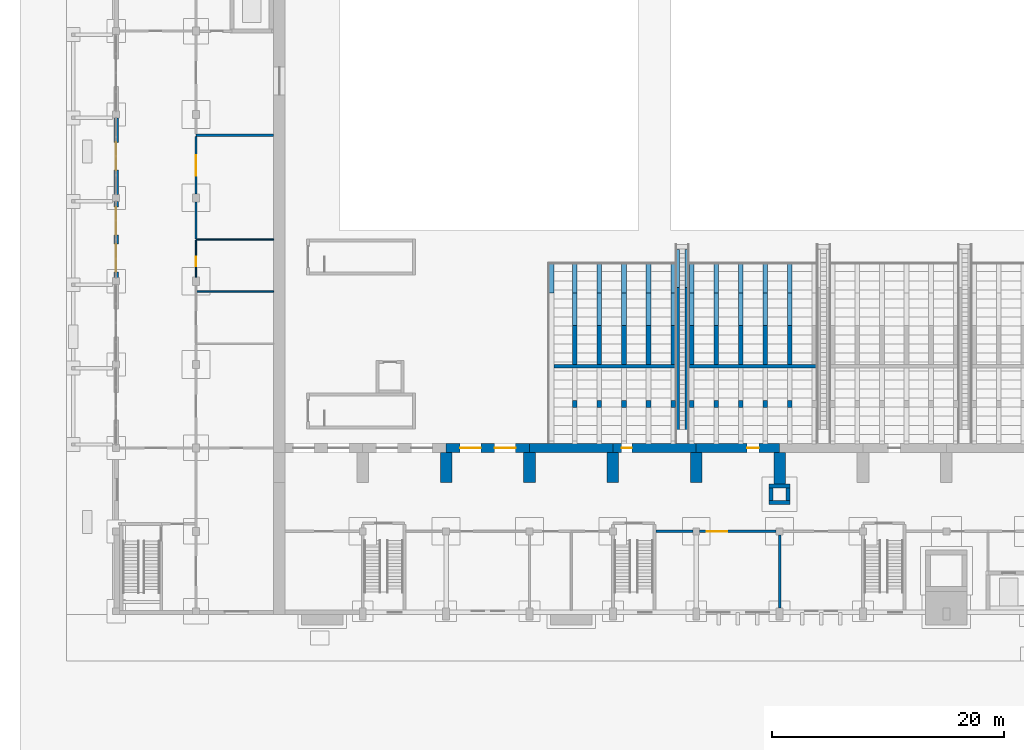
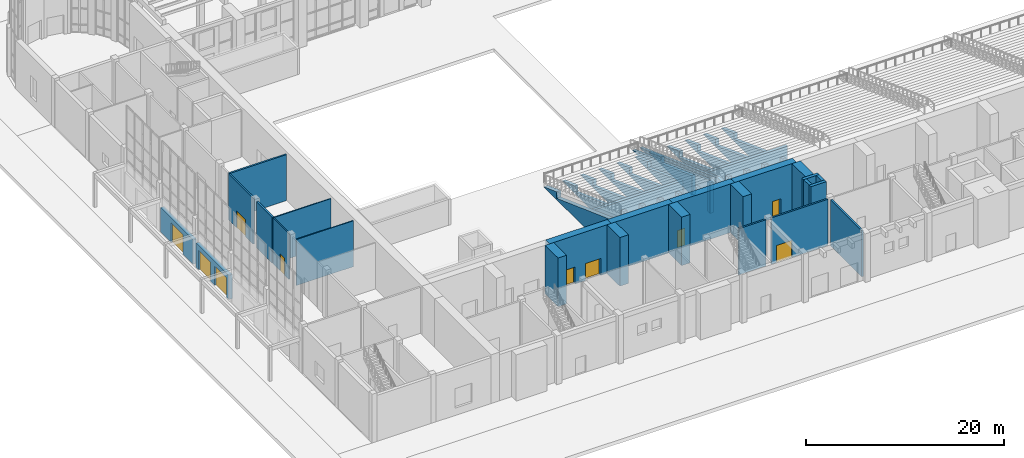
# One storey, part 40 of 70: 49 walls, 10 doors, 10 openings.
"""IFC4 building model written with IfcOpenShell, lengths in metres."""

from ifc_helpers import new_model, si_unit, direction, frame, frame_2d, origin, place, context, subcontext, project, spatial, polyline, rectangle, outline, extrude, material, layer, layer_set, type_object, element, fill, save


model = new_model("IFC4")

# Units and contexts
model_context = context("Model", 3, precision=1e-05, world=origin(), true_north=direction((0.0, 1.0)))
body_context = subcontext(model_context, "Body", "Model", "MODEL_VIEW")
ifc_project = project(units=[si_unit("LENGTHUNIT", "METRE"), si_unit("AREAUNIT", "SQUARE_METRE"), si_unit("VOLUMEUNIT", "CUBIC_METRE"), si_unit("PLANEANGLEUNIT", "RADIAN"), si_unit("MASSUNIT", "GRAM", prefix="KILO")], contexts=[model_context])

# Site, building, storey
site_placement = place(None, origin())
site = spatial("IfcSite", under=ifc_project, at=site_placement, CompositionType="ELEMENT")
building_placement = place(site_placement, origin())
building = spatial("IfcBuilding", under=site, at=building_placement, Name="Vermilion Court Aquatics Centre", CompositionType="ELEMENT")
storey_placement = place(building_placement, origin())
storey = spatial("IfcBuildingStorey", under=building, at=storey_placement, Name="L00", CompositionType="ELEMENT", Elevation=0.0)

# Wall, openings, doors
ifc_material_1 = material(Name="Brick masonry", Category="masonry")
ifc_layer_1 = layer(ifc_material_1, 0.39990234375)
ifc_layer_set_1 = layer_set([ifc_layer_1], Name="Foyer brick wall 400")
wall_type_1 = type_object("IfcWallType", Name="Foyer brick wall 400", PredefinedType="SOLIDWALL", material=ifc_layer_set_1)
wall_1_placement = place(storey_placement, frame((0.300048828125, 29.10009765625, 0.0), z_axis=(0.0, 0.0, 1.0), x_axis=(0.0, 1.0, 0.0)))
wall_1 = element("IfcWall", 1, at=wall_1_placement, inside=storey, type_object=wall_type_1, Name="Foyer brick base wall", PredefinedType="SOLIDWALL", context=body_context, shape_type="SweptSolid", body=[
    extrude(rectangle(XDim=6.599853515625, YDim=0.39990234375, at=frame_2d((3.2998046875, 0.0))), origin(), (0.0, 0.0, 1.0), 3.0),
])
opening_1_placement = place(wall_1_placement, frame((0.5, 0.0, 0.0)))
opening_1 = element("IfcOpeningElement", 2, at=opening_1_placement, cuts=wall_1, Name="Opening F00-003", PredefinedType="OPENING", context=body_context, shape_type="SweptSolid", body=[
    extrude(rectangle(XDim=2.39990234375, YDim=2.39990234375, at=frame_2d((1.199951171875, 1.199951171875))), frame((0.0, 0.2099609375, 0.0), z_axis=(0.0, -1.0, 0.0), x_axis=(1.0, 0.0, 0.0)), (0.0, 0.0, 1.0), 0.419921875),
])
opening_2_placement = place(wall_1_placement, frame((3.699951171875, 0.0, 0.0)))
opening_2 = element("IfcOpeningElement", 3, at=opening_2_placement, cuts=wall_1, Name="Opening F00-004", PredefinedType="OPENING", context=body_context, shape_type="SweptSolid", body=[
    extrude(rectangle(XDim=2.39990234375, YDim=2.39990234375, at=frame_2d((1.199951171875, 1.199951171875))), frame((0.0, 0.2099609375, 0.0), z_axis=(0.0, -1.0, 0.0), x_axis=(1.0, 0.0, 0.0)), (0.0, 0.0, 1.0), 0.419921875),
])
ifc_material_2 = material(Name="Hollow metal", Category="metal")
door_type_1 = type_object("IfcDoorType", Name="Foyer entrance door 2400x2400", OperationType="DOUBLE_DOOR_SINGLE_SWING", PredefinedType="DOOR", material=ifc_material_2)
door_1_placement = place(opening_1_placement, origin())
door_1 = element("IfcDoor", 4, at=door_1_placement, inside=storey, type_object=door_type_1, Name="Foyer entrance door", OperationType="DOUBLE_DOOR_SINGLE_SWING", OverallHeight=2.39990234375, OverallWidth=2.39990234375, PredefinedType="DOOR", context=body_context, shape_type="SweptSolid", body=[
    extrude(rectangle(XDim=2.39990234375, YDim=2.39990234375, at=frame_2d((1.199951171875, 1.199951171875))), frame((0.0, 0.02490234375, 0.0), z_axis=(0.0, -1.0, 0.0), x_axis=(1.0, 0.0, 0.0)), (0.0, 0.0, 1.0), 0.050048828125),
])
fill(opening_1, door_1)
door_2_placement = place(opening_2_placement, origin())
door_2 = element("IfcDoor", 5, at=door_2_placement, inside=storey, type_object=door_type_1, Name="Foyer entrance door", OperationType="DOUBLE_DOOR_SINGLE_SWING", OverallHeight=2.39990234375, OverallWidth=2.39990234375, PredefinedType="DOOR", context=body_context, shape_type="SweptSolid", body=[
    extrude(rectangle(XDim=2.39990234375, YDim=2.39990234375, at=frame_2d((1.199951171875, 1.199951171875))), frame((0.0, 0.02490234375, 0.0), z_axis=(0.0, -1.0, 0.0), x_axis=(1.0, 0.0, 0.0)), (0.0, 0.0, 1.0), 0.050048828125),
])
fill(opening_2, door_2)

# Wall, opening, door
wall_2_placement = place(storey_placement, frame((0.300048828125, 36.300048828125, 0.0), z_axis=(0.0, 0.0, 1.0), x_axis=(0.0, 1.0, 0.0)))
wall_2 = element("IfcWall", 6, at=wall_2_placement, inside=storey, type_object=wall_type_1, Name="Foyer brick base wall", PredefinedType="SOLIDWALL", context=body_context, shape_type="SweptSolid", body=[
    extrude(rectangle(XDim=6.599853515625, YDim=0.39990234375, at=frame_2d((3.2998046875, 0.0))), origin(), (0.0, 0.0, 1.0), 3.0),
])
opening_3_placement = place(wall_2_placement, frame((2.10009765625, 0.0, 0.0)))
opening_3 = element("IfcOpeningElement", 7, at=opening_3_placement, cuts=wall_2, Name="Opening F00-005", PredefinedType="OPENING", context=body_context, shape_type="SweptSolid", body=[
    extrude(rectangle(XDim=2.39990234375, YDim=2.39990234375, at=frame_2d((1.199951171875, 1.199951171875))), frame((0.0, 0.2099609375, 0.0), z_axis=(0.0, -1.0, 0.0), x_axis=(1.0, 0.0, 0.0)), (0.0, 0.0, 1.0), 0.419921875),
])
door_3_placement = place(opening_3_placement, origin())
door_3 = element("IfcDoor", 8, at=door_3_placement, inside=storey, type_object=door_type_1, Name="Foyer entrance door", OperationType="DOUBLE_DOOR_SINGLE_SWING", OverallHeight=2.39990234375, OverallWidth=2.39990234375, PredefinedType="DOOR", context=body_context, shape_type="SweptSolid", body=[
    extrude(rectangle(XDim=2.39990234375, YDim=2.39990234375, at=frame_2d((1.199951171875, 1.199951171875))), frame((0.0, 0.02490234375, 0.0), z_axis=(0.0, -1.0, 0.0), x_axis=(1.0, 0.0, 0.0)), (0.0, 0.0, 1.0), 0.050048828125),
])
fill(opening_3, door_3)

# Wall
ifc_material_3 = material(Name="Concrete masonry ASTM C90 Type I", Category="masonry")
ifc_layer_2 = layer(ifc_material_3, 0.199951171875)
ifc_layer_set_2 = layer_set([ifc_layer_2], Name="Foyer fire-rated partition 200")
wall_type_2 = type_object("IfcWallType", Name="Foyer fire-rated partition 200", PredefinedType="PARTITIONING", material=ifc_layer_set_2)
wall_3_placement = place(storey_placement, frame((7.199951171875, 41.39990234375, 0.0), z_axis=(0.0, 0.0, 1.0), x_axis=(1.0, 0.0, 0.0)))
element("IfcWall", 9, at=wall_3_placement, inside=storey, type_object=wall_type_2, Name="Wall", PredefinedType="PARTITIONING", context=body_context, shape_type="SweptSolid", body=[
    extrude(rectangle(XDim=6.699951171875, YDim=0.199951171875, at=frame_2d((3.35009765625, 0.0))), origin(), (0.0, 0.0, 1.0), 5.675048828125),
])

# Wall, opening, door
ifc_material_4 = material(Name="Gypsum board", Category="gypsum")
ifc_layer_3 = layer(ifc_material_4, 0.1201171875)
ifc_layer_set_3 = layer_set([ifc_layer_3], Name="Foyer light partition 120")
wall_type_3 = type_object("IfcWallType", Name="Foyer light partition 120", PredefinedType="PARTITIONING", material=ifc_layer_set_3)
wall_4_placement = place(storey_placement, frame((7.199951171875, 29.14990234375, 0.0), z_axis=(0.0, 0.0, 1.0), x_axis=(0.0, 1.0, 0.0)))
wall_4 = element("IfcWall", 10, at=wall_4_placement, inside=storey, type_object=wall_type_3, Name="Wall", PredefinedType="PARTITIONING", context=body_context, shape_type="SweptSolid", body=[
    extrude(rectangle(XDim=3.190185546875, YDim=0.1201171875, at=frame_2d((1.59521484375, 0.0))), origin(), (0.0, 0.0, 1.0), 5.675048828125),
])
opening_4_placement = place(wall_4_placement, frame((0.925048828125, 0.0, 0.0)))
opening_4 = element("IfcOpeningElement", 11, at=opening_4_placement, cuts=wall_4, Name="Opening F00-015", PredefinedType="OPENING", context=body_context, shape_type="SweptSolid", body=[
    extrude(rectangle(XDim=0.85009765625, YDim=2.10009765625, at=frame_2d((0.425048828125, 1.050048828125))), frame((0.0, 0.070068359375, 0.0), z_axis=(0.0, -1.0, 0.0), x_axis=(1.0, 0.0, 0.0)), (0.0, 0.0, 1.0), 0.14013671875),
])
ifc_material_5 = material(Name="Timber door leaf", Category="wood")
door_type_2 = type_object("IfcDoorType", Name="Foyer staff door 850", OperationType="SINGLE_SWING_RIGHT", PredefinedType="DOOR", material=ifc_material_5)
door_4_placement = place(opening_4_placement, origin())
door_4 = element("IfcDoor", 12, at=door_4_placement, inside=storey, type_object=door_type_2, Name="Foyer office door", OperationType="SINGLE_SWING_RIGHT", OverallHeight=2.10009765625, OverallWidth=0.85009765625, PredefinedType="DOOR", context=body_context, shape_type="SweptSolid", body=[
    extrude(rectangle(XDim=0.85009765625, YDim=2.10009765625, at=frame_2d((0.425048828125, 1.050048828125))), frame((0.0, 0.02490234375, 0.0), z_axis=(0.0, -1.0, 0.0), x_axis=(1.0, 0.0, 0.0)), (0.0, 0.0, 1.0), 0.050048828125),
])
fill(opening_4, door_4)

# Walls
wall_5_placement = place(storey_placement, frame((7.260009765625, 27.89990234375, 0.0), z_axis=(0.0, 0.0, 1.0), x_axis=(1.0, 0.0, 0.0)))
element("IfcWall", 13, at=wall_5_placement, inside=storey, type_object=wall_type_3, Name="Wall", PredefinedType="PARTITIONING", context=body_context, shape_type="SweptSolid", body=[
    extrude(rectangle(XDim=6.639892578125, YDim=0.1201171875, at=frame_2d((3.31982421875, 0.0))), origin(), (0.0, 0.0, 1.0), 5.675048828125),
])
wall_6_placement = place(storey_placement, frame((7.199951171875, 32.39990234375, 0.0), z_axis=(0.0, 0.0, 1.0), x_axis=(1.0, 0.0, 0.0)))
element("IfcWall", 14, at=wall_6_placement, inside=storey, type_object=wall_type_3, Name="Wall", PredefinedType="PARTITIONING", context=body_context, shape_type="SweptSolid", body=[
    extrude(rectangle(XDim=6.699951171875, YDim=0.1201171875, at=frame_2d((3.35009765625, 0.0))), origin(), (0.0, 0.0, 1.0), 5.675048828125),
])
ifc_material_6 = material(Name="Concrete masonry ASTM C90 Type I", Category="masonry")
ifc_layer_4 = layer(ifc_material_6, 0.199951171875)
ifc_layer_set_4 = layer_set([ifc_layer_4], Name="Foyer partition wall 200")
wall_type_4 = type_object("IfcWallType", Name="Foyer partition wall 200", PredefinedType="PARTITIONING", material=ifc_layer_set_4)
wall_7_placement = place(storey_placement, frame((7.199951171875, 32.4599609375, 0.0), z_axis=(0.0, 0.0, 1.0), x_axis=(0.0, 1.0, 0.0)))
element("IfcWall", 15, at=wall_7_placement, inside=storey, type_object=wall_type_4, Name="Partition wall", PredefinedType="PARTITIONING", context=body_context, shape_type="SweptSolid", body=[
    extrude(rectangle(XDim=3.18994140625, YDim=0.199951171875, at=frame_2d((1.594970703125, 0.0))), origin(), (0.0, 0.0, 1.0), 5.675048828125),
])

# Wall, opening, door
wall_8_placement = place(storey_placement, frame((7.199951171875, 36.35009765625, 0.0), z_axis=(0.0, 0.0, 1.0), x_axis=(0.0, 1.0, 0.0)))
wall_8 = element("IfcWall", 16, at=wall_8_placement, inside=storey, type_object=wall_type_4, Name="Partition wall", PredefinedType="PARTITIONING", context=body_context, shape_type="SweptSolid", body=[
    extrude(rectangle(XDim=4.949951171875, YDim=0.199951171875, at=frame_2d((2.47509765625, 0.0))), origin(), (0.0, 0.0, 1.0), 5.675048828125),
])
opening_5_placement = place(wall_8_placement, frame((1.550048828125, 0.0, 0.0)))
opening_5 = element("IfcOpeningElement", 17, at=opening_5_placement, cuts=wall_8, Name="Opening F00-016", PredefinedType="OPENING", context=body_context, shape_type="SweptSolid", body=[
    extrude(rectangle(XDim=1.800048828125, YDim=2.10009765625, at=frame_2d((0.89990234375, 1.050048828125))), frame((0.0, 0.10986328125, 0.0), z_axis=(0.0, -1.0, 0.0), x_axis=(1.0, 0.0, 0.0)), (0.0, 0.0, 1.0), 0.219970703125),
])
ifc_material_7 = material(Name="Hollow metal", Category="metal")
door_type_3 = type_object("IfcDoorType", Name="Foyer double door 1800", OperationType="DOUBLE_DOOR_SINGLE_SWING", PredefinedType="DOOR", material=ifc_material_7)
door_5_placement = place(opening_5_placement, frame((1.800048828125, 0.0, 0.0), z_axis=(0.0, 0.0, 1.0), x_axis=(-1.0, 0.0, 0.0)))
door_5 = element("IfcDoor", 18, at=door_5_placement, inside=storey, type_object=door_type_3, Name="Cafe door", OperationType="DOUBLE_DOOR_SINGLE_SWING", OverallHeight=2.10009765625, OverallWidth=1.800048828125, PredefinedType="DOOR", context=body_context, shape_type="SweptSolid", body=[
    extrude(rectangle(XDim=1.800048828125, YDim=2.10009765625, at=frame_2d((0.900146484375, 1.050048828125))), frame((0.0, 0.025146484375, 0.0), z_axis=(0.0, -1.0, 0.0), x_axis=(1.0, 0.0, 0.0)), (0.0, 0.0, 1.0), 0.050048828125),
])
fill(opening_5, door_5)

# Walls
ifc_material_8 = material(Name="Concrete 5000 psi", Category="concrete")
ifc_layer_5 = layer(ifc_material_8, 1.0)
ifc_layer_set_5 = layer_set([ifc_layer_5], Name="Roof buttress pier")
wall_type_5 = type_object("IfcWallType", Name="Roof buttress pier", PredefinedType="SOLIDWALL", material=ifc_layer_set_5)
for number, where, z_axis, x_axis, name in (
    (19, (28.800048828125, 11.39990234375, 0.0), (0.0, 0.0, 1.0), (0.0, 1.0, 0.0), "Buttress pier BPS03"),
    (20, (36.0, 11.39990234375, 0.0), (0.0, 0.0, 1.0), (0.0, 1.0, 0.0), "Buttress pier BPS04"),
    (21, (43.199951171875, 11.39990234375, 0.0), (0.0, 0.0, 1.0), (0.0, 1.0, 0.0), "Buttress pier BPS05"),
    (22, (50.39990234375, 11.39990234375, 0.0), (0.0, 0.0, 1.0), (0.0, 1.0, 0.0), "Buttress pier BPS06"),
):
    element("IfcWall", number, at=place(storey_placement, frame(where, z_axis=z_axis, x_axis=x_axis)), inside=storey, type_object=wall_type_5, Name=name, PredefinedType="SOLIDWALL", context=body_context, shape_type="SweptSolid", body=[
        extrude(rectangle(XDim=2.60009765625, YDim=1.0, at=frame_2d((1.300048828125, 0.0))), origin(), (0.0, 0.0, 1.0), 6.0),
    ])
wall_9_placement = place(storey_placement, frame((57.60009765625, 11.300048828125, 0.0), z_axis=(0.0, 0.0, 1.0), x_axis=(0.0, 1.0, 0.0)))
element("IfcWall", 23, at=wall_9_placement, inside=storey, type_object=wall_type_5, Name="Buttress pier BPS07", PredefinedType="SOLIDWALL", context=body_context, shape_type="SweptSolid", body=[
    extrude(rectangle(XDim=2.699951171875, YDim=1.0, at=frame_2d((1.35009765625, 0.0))), origin(), (0.0, 0.0, 1.0), 6.0),
])
ifc_material_9 = material(Name="Concrete masonry ASTM C90 Type I", Category="masonry")
ifc_layer_6 = layer(ifc_material_9, 0.199951171875)
ifc_layer_set_6 = layer_set([ifc_layer_6], Name="South fire-rated partition 200")
wall_type_6 = type_object("IfcWallType", Name="South fire-rated partition 200", PredefinedType="PARTITIONING", material=ifc_layer_set_6)
wall_10_placement = place(storey_placement, frame((57.60009765625, 0.60009765625, 0.0), z_axis=(0.0, 0.0, 1.0), x_axis=(0.0, 1.0, 0.0)))
element("IfcWall", 24, at=wall_10_placement, inside=storey, type_object=wall_type_6, Name="Wall", PredefinedType="PARTITIONING", context=body_context, shape_type="SweptSolid", body=[
    extrude(rectangle(XDim=6.2998046875, YDim=0.199951171875, at=frame_2d((3.14990234375, 0.0))), origin(), (0.0, 0.0, 1.0), 5.699951171875),
])
wall_11_placement = place(storey_placement, frame((46.925048828125, 7.199951171875, 0.0), z_axis=(0.0, 0.0, 1.0), x_axis=(1.0, 0.0, 0.0)))
element("IfcWall", 25, at=wall_11_placement, inside=storey, type_object=wall_type_6, Name="Wall", PredefinedType="PARTITIONING", context=body_context, shape_type="SweptSolid", body=[
    extrude(rectangle(XDim=3.175048828125, YDim=0.199951171875, at=frame_2d((1.58740234375, 0.0))), origin(), (0.0, 0.0, 1.0), 5.699951171875),
])

# Wall, opening, door
wall_12_placement = place(storey_placement, frame((50.699951171875, 7.199951171875, 0.0), z_axis=(0.0, 0.0, 1.0), x_axis=(1.0, 0.0, 0.0)))
wall_12 = element("IfcWall", 26, at=wall_12_placement, inside=storey, type_object=wall_type_6, Name="Wall", PredefinedType="PARTITIONING", context=body_context, shape_type="SweptSolid", body=[
    extrude(rectangle(XDim=6.60009765625, YDim=0.199951171875, at=frame_2d((3.300048828125, 0.0))), origin(), (0.0, 0.0, 1.0), 5.699951171875),
])
opening_6_placement = place(wall_12_placement, frame((0.60009765625, 0.0, 0.0)))
opening_6 = element("IfcOpeningElement", 27, at=opening_6_placement, cuts=wall_12, Name="Opening S00-027", PredefinedType="OPENING", context=body_context, shape_type="SweptSolid", body=[
    extrude(rectangle(XDim=1.800048828125, YDim=2.10009765625, at=frame_2d((0.89990234375, 1.050048828125))), frame((0.0, 0.10986328125, 0.0), z_axis=(0.0, -1.0, 0.0), x_axis=(1.0, 0.0, 0.0)), (0.0, 0.0, 1.0), 0.219970703125),
])
ifc_material_10 = material(Name="Hollow metal", Category="metal")
door_type_4 = type_object("IfcDoorType", Name="South lobby double door 1800", OperationType="DOUBLE_DOOR_SINGLE_SWING", PredefinedType="DOOR", material=ifc_material_10)
door_6_placement = place(opening_6_placement, origin())
door_6 = element("IfcDoor", 28, at=door_6_placement, inside=storey, type_object=door_type_4, Name="Entrance Lobby West door", OperationType="DOUBLE_DOOR_SINGLE_SWING", OverallHeight=2.10009765625, OverallWidth=1.800048828125, PredefinedType="DOOR", context=body_context, shape_type="SweptSolid", body=[
    extrude(rectangle(XDim=1.800048828125, YDim=2.10009765625, at=frame_2d((0.89990234375, 1.050048828125))), frame((0.0, 0.02490234375, 0.0), z_axis=(0.0, -1.0, 0.0), x_axis=(1.0, 0.0, 0.0)), (0.0, 0.0, 1.0), 0.050048828125),
])
fill(opening_6, door_6)

# Walls
ifc_material_11 = material(Name="Concrete 5000 psi", Category="concrete")
ifc_layer_7 = layer(ifc_material_11, 0.35009765625)
ifc_layer_set_7 = layer_set([ifc_layer_7], Name="South vent riser support wall 350")
wall_type_7 = type_object("IfcWallType", Name="South vent riser support wall 350", PredefinedType="SOLIDWALL", material=ifc_layer_set_7)
for number, where, z_axis, x_axis, name in (
    (29, (56.699951171875, 11.125, 0.0), (0.0, 0.0, 1.0), (1.0, 0.0, 0.0), "Stack support wall"),
    (30, (56.699951171875, 9.675048828125, 0.0), (0.0, 0.0, 1.0), (1.0, 0.0, 0.0), "Stack support wall"),
):
    element("IfcWall", number, at=place(storey_placement, frame(where, z_axis=z_axis, x_axis=x_axis)), inside=storey, type_object=wall_type_7, Name=name, PredefinedType="SOLIDWALL", context=body_context, shape_type="SweptSolid", body=[
        extrude(rectangle(XDim=1.800048828125, YDim=0.35009765625, at=frame_2d((0.89990234375, 0.0))), origin(), (0.0, 0.0, 1.0), 6.0),
    ])
for number, where, z_axis, x_axis, name in (
    (31, (58.324951171875, 9.85009765625, 0.0), (0.0, 0.0, 1.0), (0.0, 1.0, 0.0), "Stack support wall"),
    (32, (56.875, 9.85009765625, 0.0), (0.0, 0.0, 1.0), (0.0, 1.0, 0.0), "Stack support wall"),
):
    element("IfcWall", number, at=place(storey_placement, frame(where, z_axis=z_axis, x_axis=x_axis)), inside=storey, type_object=wall_type_7, Name=name, PredefinedType="SOLIDWALL", context=body_context, shape_type="SweptSolid", body=[
        extrude(rectangle(XDim=1.099853515625, YDim=0.35009765625, at=frame_2d((0.5498046875, 0.0))), origin(), (0.0, 0.0, 1.0), 6.0),
    ])
ifc_material_12 = material(Name="Concrete 5000 psi", Category="concrete")
ifc_layer_8 = layer(ifc_material_12, 0.35009765625)
ifc_layer_set_8 = layer_set([ifc_layer_8], Name="Tribune aisle stair wall 350")
wall_type_8 = type_object("IfcWallType", Name="Tribune aisle stair wall 350", PredefinedType="SOLIDWALL", material=ifc_layer_set_8)
for number, where, z_axis, x_axis, name in (
    (33, (48.77490234375, 31.553955078125, 0.0), (0.0, 0.0, 1.0), (0.0, -1.0, 0.0), "Aisle stair wall"),
    (34, (49.625, 31.553955078125, 0.0), (0.0, 0.0, 1.0), (0.0, -1.0, 0.0), "Aisle stair wall"),
):
    element("IfcWall", number, at=place(storey_placement, frame(where, z_axis=z_axis, x_axis=x_axis)), inside=storey, type_object=wall_type_8, Name=name, PredefinedType="SOLIDWALL", context=body_context, shape_type="SweptSolid", body=[
        extrude(outline(polyline([(0.0, 0.0), (16.75390625, 0.0), (16.75390625, 5.800048828125), (15.553955078125, 5.800048828125), (15.553955078125, 5.697509765625), (0.0, 0.0), (0.0, 0.0)])), frame((0.0, 0.175048828125, 0.0), z_axis=(0.0, -1.0, 0.0), x_axis=(1.0, 0.0, 0.0)), (0.0, 0.0, 1.0), 0.35009765625),
    ])

# Wall, openings, doors
ifc_material_13 = material(Name="Concrete 5000 psi", Category="concrete")
ifc_layer_9 = layer(ifc_material_13, 0.800048828125)
ifc_layer_set_9 = layer_set([ifc_layer_9], Name="Tribune back wall 800")
wall_type_9 = type_object("IfcWallType", Name="Tribune back wall 800", PredefinedType="SOLIDWALL", material=ifc_layer_set_9)
wall_13_placement = place(storey_placement, frame((28.800048828125, 14.39990234375, 0.0), z_axis=(0.0, 0.0, 1.0), x_axis=(1.0, 0.0, 0.0)))
wall_13 = element("IfcWall", 35, at=wall_13_placement, inside=storey, type_object=wall_type_9, Name="South hall wall", PredefinedType="SOLIDWALL", context=body_context, shape_type="SweptSolid", body=[
    extrude(rectangle(XDim=7.199951171875, YDim=0.800048828125, at=frame_2d((3.60009765625, 0.0))), origin(), (0.0, 0.0, 1.0), 6.0),
])
opening_7_placement = place(wall_13_placement, frame((1.199951171875, 0.0, 0.0)))
opening_7 = element("IfcOpeningElement", 36, at=opening_7_placement, cuts=wall_13, Name="Opening T00-005", PredefinedType="OPENING", context=body_context, shape_type="SweptSolid", body=[
    extrude(rectangle(XDim=1.800048828125, YDim=2.10009765625, at=frame_2d((0.89990234375, 1.050048828125))), frame((0.0, 0.409912109375, 0.0), z_axis=(0.0, -1.0, 0.0), x_axis=(1.0, 0.0, 0.0)), (0.0, 0.0, 1.0), 0.820068359375),
])
opening_8_placement = place(wall_13_placement, frame((4.199951171875, 0.0, 0.0)))
opening_8 = element("IfcOpeningElement", 37, at=opening_8_placement, cuts=wall_13, Name="Opening T00-006", PredefinedType="OPENING", context=body_context, shape_type="SweptSolid", body=[
    extrude(rectangle(XDim=1.800048828125, YDim=2.10009765625, at=frame_2d((0.89990234375, 1.050048828125))), frame((0.0, 0.409912109375, 0.0), z_axis=(0.0, -1.0, 0.0), x_axis=(1.0, 0.0, 0.0)), (0.0, 0.0, 1.0), 0.820068359375),
])
ifc_material_14 = material(Name="Hollow metal", Category="metal")
door_type_5 = type_object("IfcDoorType", Name="Tribune double door 1800", OperationType="DOUBLE_DOOR_SINGLE_SWING", PredefinedType="DOOR", material=ifc_material_14)
door_7_placement = place(opening_7_placement, frame((1.800048828125, 0.0, 0.0), z_axis=(0.0, 0.0, 1.0), x_axis=(-1.0, 0.0, 0.0)))
door_7 = element("IfcDoor", 38, at=door_7_placement, inside=storey, type_object=door_type_5, Name="Pool deck door", OperationType="DOUBLE_DOOR_SINGLE_SWING", OverallHeight=2.10009765625, OverallWidth=1.800048828125, PredefinedType="DOOR", context=body_context, shape_type="SweptSolid", body=[
    extrude(rectangle(XDim=1.800048828125, YDim=2.10009765625, at=frame_2d((0.900146484375, 1.050048828125))), frame((0.0, 0.025146484375, 0.0), z_axis=(0.0, -1.0, 0.0), x_axis=(1.0, 0.0, 0.0)), (0.0, 0.0, 1.0), 0.050048828125),
])
fill(opening_7, door_7)
door_8_placement = place(opening_8_placement, frame((1.800048828125, 0.0, 0.0), z_axis=(0.0, 0.0, 1.0), x_axis=(-1.0, 0.0, 0.0)))
door_8 = element("IfcDoor", 39, at=door_8_placement, inside=storey, type_object=door_type_5, Name="Pool deck door", OperationType="DOUBLE_DOOR_SINGLE_SWING", OverallHeight=2.10009765625, OverallWidth=1.800048828125, PredefinedType="DOOR", context=body_context, shape_type="SweptSolid", body=[
    extrude(rectangle(XDim=1.800048828125, YDim=2.10009765625, at=frame_2d((0.900146484375, 1.050048828125))), frame((0.0, 0.025146484375, 0.0), z_axis=(0.0, -1.0, 0.0), x_axis=(1.0, 0.0, 0.0)), (0.0, 0.0, 1.0), 0.050048828125),
])
fill(opening_8, door_8)

# Wall
wall_14_placement = place(storey_placement, frame((36.0, 14.39990234375, 0.0), z_axis=(0.0, 0.0, 1.0), x_axis=(1.0, 0.0, 0.0)))
element("IfcWall", 40, at=wall_14_placement, inside=storey, type_object=wall_type_9, Name="South hall wall", PredefinedType="SOLIDWALL", context=body_context, shape_type="SweptSolid", body=[
    extrude(rectangle(XDim=7.199951171875, YDim=0.800048828125, at=frame_2d((3.60009765625, 0.0))), origin(), (0.0, 0.0, 1.0), 6.0),
])

# Wall, opening, door
wall_15_placement = place(storey_placement, frame((50.39990234375, 14.39990234375, 0.0), z_axis=(0.0, 0.0, 1.0), x_axis=(1.0, 0.0, 0.0)))
wall_15 = element("IfcWall", 41, at=wall_15_placement, inside=storey, type_object=wall_type_9, Name="South hall wall", PredefinedType="SOLIDWALL", context=body_context, shape_type="SweptSolid", body=[
    extrude(rectangle(XDim=7.2001953125, YDim=0.800048828125, at=frame_2d((3.60009765625, 0.0))), origin(), (0.0, 0.0, 1.0), 6.0),
])
opening_9_placement = place(wall_15_placement, frame((4.39990234375, 0.0, 0.0)))
opening_9 = element("IfcOpeningElement", 42, at=opening_9_placement, cuts=wall_15, Name="Opening T00-016", PredefinedType="OPENING", context=body_context, shape_type="SweptSolid", body=[
    extrude(rectangle(XDim=1.0, YDim=2.10009765625, at=frame_2d((0.5, 1.050048828125))), frame((0.0, 0.409912109375, 0.0), z_axis=(0.0, -1.0, 0.0), x_axis=(1.0, 0.0, 0.0)), (0.0, 0.0, 1.0), 0.820068359375),
])
ifc_material_15 = material(Name="Timber door leaf", Category="wood")
door_type_6 = type_object("IfcDoorType", Name="Tribune single door 1000", OperationType="NOTDEFINED", PredefinedType="DOOR", material=ifc_material_15)
door_9_placement = place(opening_9_placement, origin())
door_9 = element("IfcDoor", 43, at=door_9_placement, inside=storey, type_object=door_type_6, Name="First Aid Room door", OperationType="SINGLE_SWING_LEFT", OverallHeight=2.10009765625, OverallWidth=1.0, PredefinedType="DOOR", context=body_context, shape_type="SweptSolid", body=[
    extrude(rectangle(XDim=1.0, YDim=2.10009765625, at=frame_2d((0.5, 1.050048828125))), frame((0.0, 0.02490234375, 0.0), z_axis=(0.0, -1.0, 0.0), x_axis=(1.0, 0.0, 0.0)), (0.0, 0.0, 1.0), 0.050048828125),
])
fill(opening_9, door_9)

# Walls
ifc_material_16 = material(Name="Concrete 5000 psi", Category="concrete")
ifc_layer_10 = layer(ifc_material_16, 0.5)
ifc_layer_set_10 = layer_set([ifc_layer_10], Name="Tribune end frame wall 500")
wall_type_10 = type_object("IfcWallType", Name="Tribune end frame wall 500", PredefinedType="SOLIDWALL", material=ifc_layer_set_10)
wall_16_placement = place(storey_placement, frame((37.85009765625, 30.39990234375, 0.0), z_axis=(0.0, 0.0, 1.0), x_axis=(0.0, -1.0, 0.0)))
element("IfcWall", 44, at=wall_16_placement, inside=storey, type_object=wall_type_10, Name="Tier end frame wall", PredefinedType="SOLIDWALL", context=body_context, shape_type="SweptSolid", body=[
    extrude(outline(polyline([(0.0, 0.0), (15.599853515625, 0.0), (15.60009765625, 4.93701171875), (2.60009765625, 0.175048828125), (2.60009765625, 0.973876953125), (0.0, 0.021484375), (0.0, 0.0)])), frame((0.0, 0.25, 0.0), z_axis=(0.0, -1.0, 0.0), x_axis=(1.0, 0.0, 0.0)), (0.0, 0.0, 1.0), 0.5),
])
ifc_material_17 = material(Name="Concrete 5000 psi", Category="concrete")
ifc_layer_11 = layer(ifc_material_17, 0.39990234375)
ifc_layer_set_11 = layer_set([ifc_layer_11], Name="Tribune raker support pier 400x600")
wall_type_11 = type_object("IfcWallType", Name="Tribune raker support pier 400x600", PredefinedType="SOLIDWALL", material=ifc_layer_set_11)
for number, where, z_axis, x_axis, name in (
    (45, (39.919921875, 18.5, 0.0), (0.0, 0.0, 1.0), (0.0, -1.0, 0.0), "Raker support pier"),
    (46, (42.0400390625, 18.5, 0.0), (0.0, 0.0, 1.0), (0.0, -1.0, 0.0), "Raker support pier"),
    (47, (44.159912109375, 18.5, 0.0), (0.0, 0.0, 1.0), (0.0, -1.0, 0.0), "Raker support pier"),
    (48, (46.280029296875, 18.5, 0.0), (0.0, 0.0, 1.0), (0.0, -1.0, 0.0), "Raker support pier"),
    (49, (48.39990234375, 18.5, 0.0), (0.0, 0.0, 1.0), (0.0, -1.0, 0.0), "Raker support pier"),
    (50, (50.0, 18.5, 0.0), (0.0, 0.0, 1.0), (0.0, -1.0, 0.0), "Raker support pier"),
    (51, (52.1201171875, 18.5, 0.0), (0.0, 0.0, 1.0), (0.0, -1.0, 0.0), "Raker support pier"),
    (52, (54.239990234375, 18.5, 0.0), (0.0, 0.0, 1.0), (0.0, -1.0, 0.0), "Raker support pier"),
    (53, (56.360107421875, 18.5, 0.0), (0.0, 0.0, 1.0), (0.0, -1.0, 0.0), "Raker support pier"),
    (54, (58.47998046875, 18.5, 0.0), (0.0, 0.0, 1.0), (0.0, -1.0, 0.0), "Raker support pier"),
):
    element("IfcWall", number, at=place(storey_placement, frame(where, z_axis=z_axis, x_axis=x_axis)), inside=storey, type_object=wall_type_11, Name=name, PredefinedType="SOLIDWALL", context=body_context, shape_type="SweptSolid", body=[
        extrude(outline(polyline([(0.0, 0.0), (0.60009765625, 0.0), (0.60009765625, 3.801513671875), (0.0, 3.581787109375), (0.0, 0.0)])), frame((0.0, 0.199951171875, 0.0), z_axis=(0.0, -1.0, 0.0), x_axis=(1.0, 0.0, 0.0)), (0.0, 0.0, 1.0), 0.39990234375),
    ])

# Wall, opening, door
ifc_material_18 = material(Name="Concrete 5000 psi", Category="concrete")
ifc_layer_12 = layer(ifc_material_18, 0.800048828125)
ifc_layer_set_12 = layer_set([ifc_layer_12], Name="Tribune store bay wall 800")
wall_type_12 = type_object("IfcWallType", Name="Tribune store bay wall 800", PredefinedType="SOLIDWALL", material=ifc_layer_set_12)
wall_17_placement = place(storey_placement, frame((43.199951171875, 14.39990234375, 0.0), z_axis=(0.0, 0.0, 1.0), x_axis=(1.0, 0.0, 0.0)))
wall_17 = element("IfcWall", 55, at=wall_17_placement, inside=storey, type_object=wall_type_12, Name="South hall wall", PredefinedType="SOLIDWALL", context=body_context, shape_type="SweptSolid", body=[
    extrude(rectangle(XDim=7.199951171875, YDim=0.800048828125, at=frame_2d((3.60009765625, 0.0))), origin(), (0.0, 0.0, 1.0), 6.0),
])
opening_10_placement = place(wall_17_placement, frame((0.75, 0.0, 0.0)))
opening_10 = element("IfcOpeningElement", 56, at=opening_10_placement, cuts=wall_17, Name="Opening T00-015", PredefinedType="OPENING", context=body_context, shape_type="SweptSolid", body=[
    extrude(rectangle(XDim=0.89990234375, YDim=2.10009765625, at=frame_2d((0.449951171875, 1.050048828125))), frame((0.0, 0.409912109375, 0.0), z_axis=(0.0, -1.0, 0.0), x_axis=(1.0, 0.0, 0.0)), (0.0, 0.0, 1.0), 0.820068359375),
])
ifc_material_19 = material(Name="Hollow metal", Category="metal")
door_type_7 = type_object("IfcDoorType", Name="Tribune store door 900", OperationType="SINGLE_SWING_LEFT", PredefinedType="DOOR", material=ifc_material_19)
door_10_placement = place(opening_10_placement, origin())
door_10 = element("IfcDoor", 57, at=door_10_placement, inside=storey, type_object=door_type_7, Name="Pool Equipment Store door", OperationType="SINGLE_SWING_LEFT", OverallHeight=2.10009765625, OverallWidth=0.89990234375, PredefinedType="DOOR", context=body_context, shape_type="SweptSolid", body=[
    extrude(rectangle(XDim=0.89990234375, YDim=2.10009765625, at=frame_2d((0.449951171875, 1.050048828125))), frame((0.0, 0.02490234375, 0.0), z_axis=(0.0, -1.0, 0.0), x_axis=(1.0, 0.0, 0.0)), (0.0, 0.0, 1.0), 0.050048828125),
])
fill(opening_10, door_10)

# Walls
ifc_material_20 = material(Name="Concrete 5000 psi", Category="concrete")
ifc_layer_13 = layer(ifc_material_20, 0.39990234375)
ifc_layer_set_13 = layer_set([ifc_layer_13], Name="Tribune tier frame wall 400")
wall_type_13 = type_object("IfcWallType", Name="Tribune tier frame wall 400", PredefinedType="SOLIDWALL", material=ifc_layer_set_13)
for number, where, z_axis, x_axis, name in (
    (58, (39.919921875, 30.39990234375, 0.0), (0.0, 0.0, 1.0), (0.0, -1.0, 0.0), "Tier frame wall"),
    (59, (42.0400390625, 30.39990234375, 0.0), (0.0, 0.0, 1.0), (0.0, -1.0, 0.0), "Tier frame wall"),
    (60, (44.159912109375, 30.39990234375, 0.0), (0.0, 0.0, 1.0), (0.0, -1.0, 0.0), "Tier frame wall"),
    (61, (46.280029296875, 30.39990234375, 0.0), (0.0, 0.0, 1.0), (0.0, -1.0, 0.0), "Tier frame wall"),
    (62, (48.39990234375, 30.39990234375, 0.0), (0.0, 0.0, 1.0), (0.0, -1.0, 0.0), "Tier frame wall"),
    (63, (50.0, 30.39990234375, 0.0), (0.0, 0.0, 1.0), (0.0, -1.0, 0.0), "Tier frame wall"),
    (64, (52.1201171875, 30.39990234375, 0.0), (0.0, 0.0, 1.0), (0.0, -1.0, 0.0), "Tier frame wall"),
    (65, (54.239990234375, 30.39990234375, 0.0), (0.0, 0.0, 1.0), (0.0, -1.0, 0.0), "Tier frame wall"),
    (66, (56.360107421875, 30.39990234375, 0.0), (0.0, 0.0, 1.0), (0.0, -1.0, 0.0), "Tier frame wall"),
    (67, (58.47998046875, 30.39990234375, 0.0), (0.0, 0.0, 1.0), (0.0, -1.0, 0.0), "Tier frame wall"),
):
    element("IfcWall", number, at=place(storey_placement, frame(where, z_axis=z_axis, x_axis=x_axis)), inside=storey, type_object=wall_type_13, Name=name, PredefinedType="SOLIDWALL", context=body_context, shape_type="SweptSolid", body=[
        extrude(outline(polyline([(0.0, 0.0), (8.7998046875, 0.0), (8.800048828125, 2.446044921875), (2.60009765625, 0.175048828125), (2.60009765625, 0.973876953125), (0.0, 0.021484375), (0.0, 0.0)])), frame((0.0, 0.199951171875, 0.0), z_axis=(0.0, -1.0, 0.0), x_axis=(1.0, 0.0, 0.0)), (0.0, 0.0, 1.0), 0.39990234375),
    ])
ifc_material_21 = material(Name="Concrete masonry ASTM C90 Type I", Category="masonry")
ifc_layer_14 = layer(ifc_material_21, 0.300048828125)
ifc_layer_set_14 = layer_set([ifc_layer_14], Name="Tribune under-stand wall 300")
wall_type_14 = type_object("IfcWallType", Name="Tribune under-stand wall 300", PredefinedType="PARTITIONING", material=ifc_layer_set_14)
wall_18_placement = place(storey_placement, frame((38.10009765625, 21.449951171875, 0.0), z_axis=(0.0, 0.0, 1.0), x_axis=(1.0, 0.0, 0.0)))
element("IfcWall", 68, at=wall_18_placement, inside=storey, type_object=wall_type_14, Name="Under-stand wall", PredefinedType="PARTITIONING", context=body_context, shape_type="SweptSolid", body=[
    extrude(rectangle(XDim=10.5, YDim=0.300048828125, at=frame_2d((5.25, 0.0))), origin(), (0.0, 0.0, 1.0), 2.449951171875),
])
wall_19_placement = place(storey_placement, frame((49.800048828125, 21.449951171875, 0.0), z_axis=(0.0, 0.0, 1.0), x_axis=(1.0, 0.0, 0.0)))
element("IfcWall", 69, at=wall_19_placement, inside=storey, type_object=wall_type_14, Name="Under-stand wall", PredefinedType="PARTITIONING", context=body_context, shape_type="SweptSolid", body=[
    extrude(rectangle(XDim=11.0, YDim=0.300048828125, at=frame_2d((5.5, 0.0))), origin(), (0.0, 0.0, 1.0), 2.449951171875),
])

save(model, "model.ifc")
